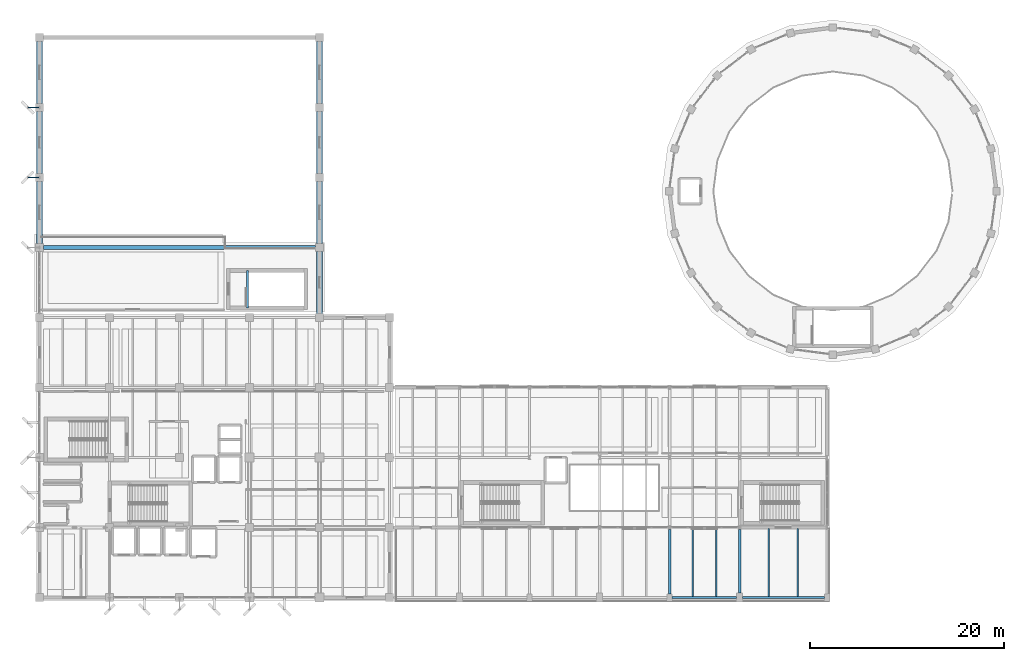
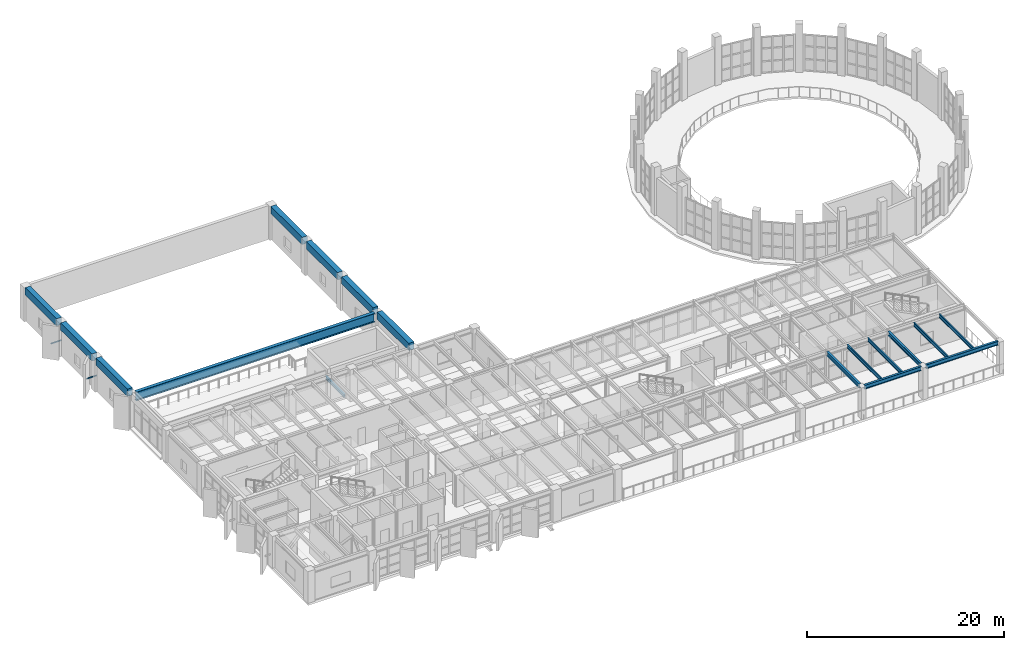
# One storey, part 21 of 59: 17 beams, 2 members.
"""IFC4 building model written with IfcOpenShell, lengths in metres."""

from ifc_helpers import new_model, si_unit, direction, frame, origin, origin_2d, place, context, subcontext, project, spatial, rectangle, hollow_rectangle, i_section, extrude, material, material_profile, profile_set, type_object, element, save


model = new_model("IFC4")

# Units and contexts
model_context = context("Model", 3, precision=1e-05, world=origin(), true_north=direction((0.0, 1.0)))
body_context = subcontext(model_context, "Body", "Model", "MODEL_VIEW")
ifc_project = project(units=[si_unit("LENGTHUNIT", "METRE"), si_unit("AREAUNIT", "SQUARE_METRE"), si_unit("VOLUMEUNIT", "CUBIC_METRE"), si_unit("PLANEANGLEUNIT", "RADIAN"), si_unit("MASSUNIT", "GRAM", prefix="KILO")], contexts=[model_context])

# Site, building, storey
site_placement = place(None, origin())
site = spatial("IfcSite", under=ifc_project, at=site_placement, CompositionType="ELEMENT")
building_placement = place(site_placement, origin())
building = spatial("IfcBuilding", under=site, at=building_placement, Name="Kandorven Conservatory and Botanical Research Centre", CompositionType="ELEMENT")
storey_placement = place(building_placement, frame((0.0, 0.0, 4.800048828125)))
storey = spatial("IfcBuildingStorey", under=building, at=storey_placement, Name="L01", CompositionType="ELEMENT", Elevation=4.800048828125)

# Beams
ifc_material_1 = material(Name="Concrete C40/50 (M50)", Category="concrete")
ifc_material_profile_1 = material_profile(ifc_material_1, rectangle(XDim=0.60009765625, YDim=0.89990234375, at=origin_2d()))
ifc_profile_set_1 = profile_set([ifc_material_profile_1], Name="Concrete C40/50 (M50)")
beam_type_1 = type_object("IfcBeamType", Name="Beam_CG-03", PredefinedType="SPANDREL", material=ifc_profile_set_1)
beam_1_placement = place(storey_placement, frame((6.0, 42.4150390625, 3.75), z_axis=(0.0, 1.0, 0.0), x_axis=(-1.0, 0.0, 0.0)))
element("IfcBeam", 1, at=beam_1_placement, inside=storey, type_object=beam_type_1, Name="Auditorium longitudinal edge beam CG-03 L01", PredefinedType="SPANDREL", context=body_context, shape_type="SweptSolid", body=[
    extrude(rectangle(XDim=0.60009765625, YDim=0.89990234375, at=origin_2d()), origin(), (0.0, 0.0, 1.0), 6.369873046875),
])
for number, where, z_axis, x_axis, name in (
    (2, (6.0, 49.614990234375, 3.75), (0.0, 1.0, 0.0), (-1.0, 0.0, 0.0), "Auditorium longitudinal edge beam CG-03 L01"),
    (3, (6.0, 56.81494140625, 3.75), (0.0, 1.0, 0.0), (-1.0, 0.0, 0.0), "Auditorium longitudinal edge beam CG-03 L01"),
):
    element("IfcBeam", number, at=place(storey_placement, frame(where, z_axis=z_axis, x_axis=x_axis)), inside=storey, type_object=beam_type_1, Name=name, PredefinedType="SPANDREL", context=body_context, shape_type="SweptSolid", body=[
        extrude(rectangle(XDim=0.60009765625, YDim=0.89990234375, at=origin_2d()), origin(), (0.0, 0.0, 1.0), 6.3701171875),
    ])
beam_2_placement = place(storey_placement, frame((34.800048828125, 35.159912109375, 3.75), z_axis=(0.0, 1.0, 0.0), x_axis=(-1.0, 0.0, 0.0)))
element("IfcBeam", 4, at=beam_2_placement, inside=storey, type_object=beam_type_1, Name="Auditorium longitudinal edge beam CG-03 L01", PredefinedType="SPANDREL", context=body_context, shape_type="SweptSolid", body=[
    extrude(rectangle(XDim=0.60009765625, YDim=0.89990234375, at=origin_2d()), origin(), (0.0, 0.0, 1.0), 6.425048828125),
])
beam_3_placement = place(storey_placement, frame((34.800048828125, 42.4150390625, 3.75), z_axis=(0.0, 1.0, 0.0), x_axis=(-1.0, 0.0, 0.0)))
element("IfcBeam", 5, at=beam_3_placement, inside=storey, type_object=beam_type_1, Name="Auditorium longitudinal edge beam CG-03 L01", PredefinedType="SPANDREL", context=body_context, shape_type="SweptSolid", body=[
    extrude(rectangle(XDim=0.60009765625, YDim=0.89990234375, at=origin_2d()), origin(), (0.0, 0.0, 1.0), 6.369873046875),
])
for number, where, z_axis, x_axis, name in (
    (6, (34.800048828125, 49.614990234375, 3.75), (0.0, 1.0, 0.0), (-1.0, 0.0, 0.0), "Auditorium longitudinal edge beam CG-03 L01"),
    (7, (34.800048828125, 56.81494140625, 3.75), (0.0, 1.0, 0.0), (-1.0, 0.0, 0.0), "Auditorium longitudinal edge beam CG-03 L01"),
):
    element("IfcBeam", number, at=place(storey_placement, frame(where, z_axis=z_axis, x_axis=x_axis)), inside=storey, type_object=beam_type_1, Name=name, PredefinedType="SPANDREL", context=body_context, shape_type="SweptSolid", body=[
        extrude(rectangle(XDim=0.60009765625, YDim=0.89990234375, at=origin_2d()), origin(), (0.0, 0.0, 1.0), 6.3701171875),
    ])
ifc_material_2 = material(Name="Steel S355 (IS 2062 E350)", Category="steel")
ifc_material_profile_2 = material_profile(ifc_material_2, i_section(OverallWidth=0.25, OverallDepth=0.5, WebThickness=0.010009765625, FlangeThickness=0.0146484375, at=origin_2d()))
ifc_profile_set_2 = profile_set([ifc_material_profile_2], Name="Steel S355 (IS 2062 E350)")
beam_type_2 = type_object("IfcBeamType", Name="Beam_FG-02", PredefinedType="USERDEFINED", material=ifc_profile_set_2)
beam_4_placement = place(storey_placement, frame((71.0400390625, 6.0, 3.699951171875), z_axis=(1.0, 0.0, 0.0), x_axis=(0.0, 1.0, 0.0)))
element("IfcBeam", 8, at=beam_4_placement, inside=storey, type_object=beam_type_2, Name="Primary girder FG-02 VIS L01", ObjectType="GIRDER", PredefinedType="USERDEFINED", context=body_context, shape_type="SweptSolid", body=[
    extrude(i_section(OverallWidth=0.25, OverallDepth=0.5, WebThickness=0.010009765625, FlangeThickness=0.0146484375, at=origin_2d()), origin(), (0.0, 0.0, 1.0), 6.669921875),
])
beam_5_placement = place(storey_placement, frame((78.2900390625, 6.0, 3.699951171875), z_axis=(1.0, 0.0, 0.0), x_axis=(0.0, 1.0, 0.0)))
element("IfcBeam", 9, at=beam_5_placement, inside=storey, type_object=beam_type_2, Name="Primary girder FG-02 VIS L01", ObjectType="GIRDER", PredefinedType="USERDEFINED", context=body_context, shape_type="SweptSolid", body=[
    extrude(i_section(OverallWidth=0.25, OverallDepth=0.5, WebThickness=0.010009765625, FlangeThickness=0.0146484375, at=origin_2d()), origin(), (0.0, 0.0, 1.0), 8.469970703125),
])
beam_6_placement = place(storey_placement, frame((70.800048828125, 6.364990234375, 3.699951171875), z_axis=(0.0, 1.0, 0.0), x_axis=(-1.0, 0.0, 0.0)))
element("IfcBeam", 10, at=beam_6_placement, inside=storey, type_object=beam_type_2, Name="Primary girder FG-02 VIS L01", ObjectType="GIRDER", PredefinedType="USERDEFINED", context=body_context, shape_type="SweptSolid", body=[
    extrude(i_section(OverallWidth=0.25, OverallDepth=0.5, WebThickness=0.010009765625, FlangeThickness=0.0146484375, at=origin_2d()), origin(), (0.0, 0.0, 1.0), 6.64501953125),
])
beam_7_placement = place(storey_placement, frame((78.0, 6.43994140625, 3.699951171875), z_axis=(0.0, 1.0, 0.0), x_axis=(-1.0, 0.0, 0.0)))
element("IfcBeam", 11, at=beam_7_placement, inside=storey, type_object=beam_type_2, Name="Primary girder FG-02 VIS L01", ObjectType="GIRDER", PredefinedType="USERDEFINED", context=body_context, shape_type="SweptSolid", body=[
    extrude(i_section(OverallWidth=0.25, OverallDepth=0.5, WebThickness=0.010009765625, FlangeThickness=0.0146484375, at=origin_2d()), origin(), (0.0, 0.0, 1.0), 6.570068359375),
])
ifc_material_3 = material(Name="Steel S355 (IS 2062 E350)", Category="steel")
ifc_material_profile_3 = material_profile(ifc_material_3, i_section(OverallWidth=0.199951171875, OverallDepth=0.39990234375, WebThickness=0.008544921875, FlangeThickness=0.012939453125, at=origin_2d()))
ifc_profile_set_3 = profile_set([ifc_material_profile_3], Name="Steel S355 (IS 2062 E350)")
beam_type_3 = type_object("IfcBeamType", Name="Beam_FG-03", PredefinedType="USERDEFINED", material=ifc_profile_set_3)
beam_8_placement = place(storey_placement, frame((27.3798828125, 35.800048828125, -0.199951171875), z_axis=(0.0, 1.0, 0.0), x_axis=(-1.0, 0.0, 0.0)))
element("IfcBeam", 12, at=beam_8_placement, inside=storey, type_object=beam_type_3, Name="Stair well bottom trimmer girder FG-03 ST-V2 L01", ObjectType="GIRDER", PredefinedType="USERDEFINED", context=body_context, shape_type="SweptSolid", body=[
    extrude(i_section(OverallWidth=0.199951171875, OverallDepth=0.39990234375, WebThickness=0.008544921875, FlangeThickness=0.012939453125, at=origin_2d()), origin(), (0.0, 0.0, 1.0), 3.849853515625),
])
ifc_material_4 = material(Name="Steel S355 (IS 2062 E350)", Category="steel")
ifc_material_profile_4 = material_profile(ifc_material_4, i_section(OverallWidth=0.3798828125, OverallDepth=1.10009765625, WebThickness=0.02001953125, FlangeThickness=0.031982421875, at=origin_2d()))
ifc_profile_set_4 = profile_set([ifc_material_profile_4], Name="Steel S355 (IS 2062 E350)")
beam_type_4 = type_object("IfcBeamType", Name="Beam_PG-01", PredefinedType="USERDEFINED", material=ifc_profile_set_4)
beam_9_placement = place(storey_placement, frame((6.4150390625, 42.0, 3.39990234375), z_axis=(1.0, 0.0, 0.0), x_axis=(0.0, 1.0, 0.0)))
element("IfcBeam", 13, at=beam_9_placement, inside=storey, type_object=beam_type_4, Name="Auditorium L02 broadcast gallery clear-span girder PG-01", ObjectType="GIRDER", PredefinedType="USERDEFINED", context=body_context, shape_type="SweptSolid", body=[
    extrude(i_section(OverallWidth=0.3798828125, OverallDepth=1.10009765625, WebThickness=0.02001953125, FlangeThickness=0.031982421875, at=origin_2d()), origin(), (0.0, 0.0, 1.0), 27.969970703125),
])
ifc_material_5 = material(Name="Steel S355 (IS 2062 E350)", Category="steel")
ifc_material_profile_5 = material_profile(ifc_material_5, i_section(OverallWidth=0.14990234375, OverallDepth=0.449951171875, WebThickness=0.009521484375, FlangeThickness=0.017333984375, at=origin_2d()))
ifc_profile_set_5 = profile_set([ifc_material_profile_5], Name="Steel S355 (IS 2062 E350)")
beam_type_5 = type_object("IfcBeamType", Name="Beam_SB-04", PredefinedType="BEAM", material=ifc_profile_set_5)
for number, where, z_axis, x_axis, name in (
    (14, (73.199951171875, 6.110107421875, 3.724853515625), (0.0, 1.0, 0.0), (-1.0, 0.0, 0.0), "Composite secondary beam SB-04 VIS L01"),
    (15, (75.60009765625, 6.110107421875, 3.724853515625), (0.0, 1.0, 0.0), (-1.0, 0.0, 0.0), "Composite secondary beam SB-04 VIS L01"),
    (16, (81.0, 6.110107421875, 3.724853515625), (0.0, 1.0, 0.0), (-1.0, 0.0, 0.0), "Composite secondary beam SB-04 VIS L01"),
    (17, (84.0, 6.110107421875, 3.724853515625), (0.0, 1.0, 0.0), (-1.0, 0.0, 0.0), "Composite secondary beam SB-04 VIS L01"),
):
    element("IfcBeam", number, at=place(storey_placement, frame(where, z_axis=z_axis, x_axis=x_axis)), inside=storey, type_object=beam_type_5, Name=name, PredefinedType="BEAM", context=body_context, shape_type="SweptSolid", body=[
        extrude(i_section(OverallWidth=0.14990234375, OverallDepth=0.449951171875, WebThickness=0.009521484375, FlangeThickness=0.017333984375, at=origin_2d()), origin(), (0.0, 0.0, 1.0), 6.97998046875),
    ])

# Members
ifc_material_6 = material(Name="Steel S355 (IS 2062 E350)", Category="steel")
ifc_material_profile_6 = material_profile(ifc_material_6, hollow_rectangle(XDim=0.074951171875, YDim=0.14990234375, WallThickness=0.006103515625, at=origin_2d()))
ifc_profile_set_6 = profile_set([ifc_material_profile_6], Name="Steel S355 (IS 2062 E350)")
member_type = type_object("IfcMemberType", Name="Mem_SF-01", PredefinedType="STRUT", material=ifc_profile_set_6)
for number, where, z_axis, x_axis, name in (
    (18, (6.0, 49.199951171875, 1.699951171875), (-1.0, 0.0, 0.0), (0.0, -1.0, 0.0), "Auditorium fin steel strut SF-01 #5"),
    (19, (6.0, 56.39990234375, 1.699951171875), (-1.0, 0.0, 0.0), (0.0, -1.0, 0.0), "Auditorium fin steel strut SF-01 #6"),
):
    element("IfcMember", number, at=place(storey_placement, frame(where, z_axis=z_axis, x_axis=x_axis)), inside=storey, type_object=member_type, Name=name, PredefinedType="STRUT", context=body_context, shape_type="SweptSolid", body=[
        extrude(hollow_rectangle(XDim=0.074951171875, YDim=0.14990234375, WallThickness=0.006103515625, at=origin_2d()), origin(), (0.0, 0.0, 1.0), 1.219970703125),
    ])

save(model, "model.ifc")
